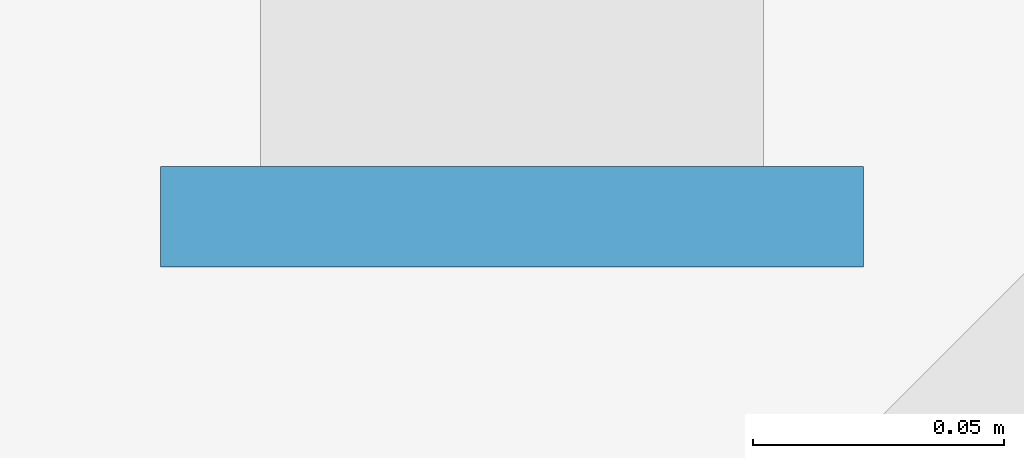
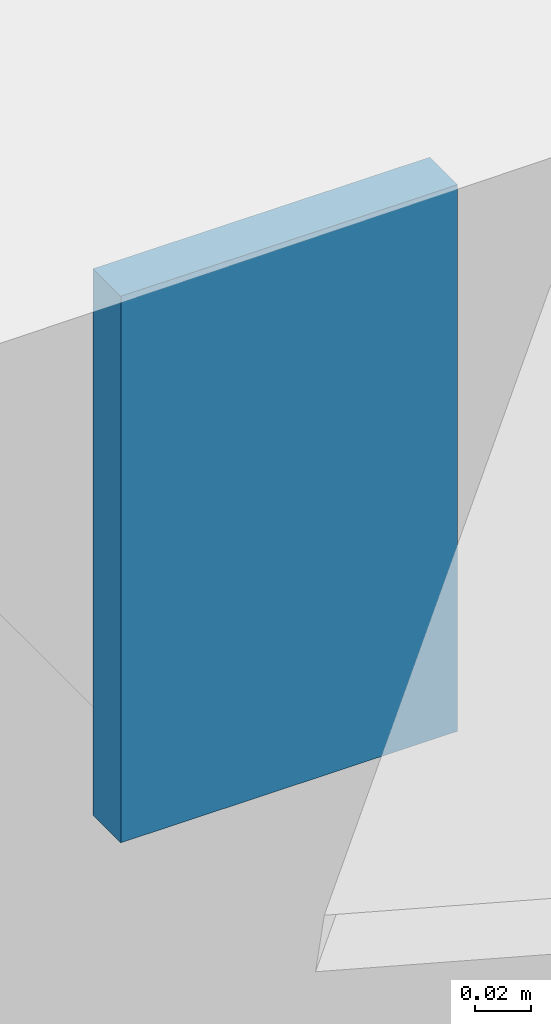
# One storey, part 19 of 28: 1 plate.
"""IFC4 building model written with IfcOpenShell, lengths in metres."""

import ifcopenshell
import ifcopenshell.guid

model = None  # the IFC model being written
_history = None  # IfcOwnerHistory: only IFC2X3 demands one
_inside = {}  # id of a spatial element -> (the spatial element, [elements in it])
_under = {}  # id of a project, library or spatial element -> (it, [spatial elements below it])
_declared = {}  # id of a project -> (the project, [libraries it declares])
_typed = {}  # id of a type object -> (the type object, [elements of that type])
_made_of = {}  # id of a material, layer set ... -> (it, [elements and type objects made of it])


def new_model(schema):
    """Start an empty IFC model of exactly this schema.

    Asked for "IFC4X3", IfcOpenShell would pick the latest addendum, in which some entities
    have other attributes; the version numbers below select the first issue.
    IFC2X3 requires an IfcOwnerHistory on every rooted entity: one is made here for all.
    """
    global model, _history
    if schema == "IFC4X3":
        model = ifcopenshell.file(schema_version=(4, 3, 0, 0))
    else:
        model = ifcopenshell.file(schema=schema)
    _inside.clear()
    _under.clear()
    _declared.clear()
    _typed.clear()
    _made_of.clear()
    _history = None
    if model.schema == "IFC2X3":
        org = make("IfcOrganization", Name="unknown")
        user = make(
            "IfcPersonAndOrganization",
            ThePerson=make("IfcPerson", FamilyName="unknown"),
            TheOrganization=org,
        )
        app = make(
            "IfcApplication",
            ApplicationDeveloper=org,
            Version="unknown",
            ApplicationFullName="unknown",
            ApplicationIdentifier="unknown",
        )
        _history = make(
            "IfcOwnerHistory",
            OwningUser=user,
            OwningApplication=app,
            ChangeAction="ADDED",
            CreationDate=0,
        )
    return model


def make(cls, **values):
    """One entity of the class cls with the attributes given. An attribute that is None is left unset."""
    return model.create_entity(
        cls, **{name: value for name, value in values.items() if value is not None}
    )


def rooted(cls, **values):
    """An entity with a GlobalId (a new one), such as an element, a storey or a relation."""
    return make(cls, GlobalId=ifcopenshell.guid.new(), OwnerHistory=_history, **values)


def si_unit(unit_type, name, prefix=None):
    """IfcSIUnit, for example si_unit("LENGTHUNIT", "METRE", prefix="MILLI")."""
    return make("IfcSIUnit", UnitType=unit_type, Prefix=prefix, Name=name)


def assignment(units):
    """IfcUnitAssignment: the units of a project."""
    return None if units is None else make("IfcUnitAssignment", Units=units)


def point(xyz):
    """IfcCartesianPoint."""
    return None if xyz is None else make("IfcCartesianPoint", Coordinates=xyz)


def direction(xyz):
    """IfcDirection."""
    return None if xyz is None else make("IfcDirection", DirectionRatios=xyz)


def frame(location, z_axis=None, x_axis=None):
    """IfcAxis2Placement3D, a coordinate frame: its origin and axes. An axis left out is left unset."""
    return make(
        "IfcAxis2Placement3D",
        Location=point(location),
        Axis=direction(z_axis),
        RefDirection=direction(x_axis),
    )


def frame_2d(location, x_axis=None):
    """IfcAxis2Placement2D, a coordinate frame in the plane: its origin and x axis."""
    return make(
        "IfcAxis2Placement2D", Location=point(location), RefDirection=direction(x_axis)
    )


def origin():
    """The frame at (0, 0, 0) with its axes left unset."""
    return frame((0.0, 0.0, 0.0))


def origin_2d():
    """The frame at (0, 0) in the plane with its x axis left unset."""
    return frame_2d((0.0, 0.0))


def place(relative_to, where):
    """IfcLocalPlacement: puts the frame where relative to a parent placement (None: the world)."""
    return make(
        "IfcLocalPlacement", PlacementRelTo=relative_to, RelativePlacement=where
    )


def context(
    kind, dimensions, precision=None, world=None, true_north=None, identifier=None
):
    """IfcGeometricRepresentationContext, for example the 3D "Model" context."""
    return make(
        "IfcGeometricRepresentationContext",
        ContextIdentifier=identifier,
        ContextType=kind,
        CoordinateSpaceDimension=dimensions,
        Precision=precision,
        WorldCoordinateSystem=world,
        TrueNorth=true_north,
    )


def subcontext(parent, identifier, kind, view, scale=None):
    """IfcGeometricRepresentationSubContext, for example "Body" below "Model"."""
    return make(
        "IfcGeometricRepresentationSubContext",
        ContextIdentifier=identifier,
        ContextType=kind,
        ParentContext=parent,
        TargetScale=scale,
        TargetView=view,
    )


def project(units=None, contexts=None):
    """IfcProject with its units and contexts."""
    return rooted(
        "IfcProject",
        Name="project",
        RepresentationContexts=contexts,
        UnitsInContext=assignment(units),
    )


def spatial(cls, under=None, at=None, **own):
    """A site, building, storey or space (cls), placed at a placement, below another one or the project."""
    s = rooted(cls, ObjectPlacement=at, **own)
    if under is not None:
        _under.setdefault(under.id(), (under, []))[1].append(s)
    return s


def profile(cls, at=None, kind="AREA", **sizes):
    """A parametric profile (cls). Its sizes go by their IFC names, for example OverallWidth=200.0."""
    return make(cls, ProfileType=kind, Position=at, **sizes)


def rectangle(**sizes):
    """IfcRectangleProfileDef."""
    return profile("IfcRectangleProfileDef", **sizes)


def extrude(swept, where, along, depth):
    """IfcExtrudedAreaSolid: the profile swept, set in the frame where, extruded along a direction by depth."""
    return make(
        "IfcExtrudedAreaSolid",
        SweptArea=swept,
        Position=where,
        ExtrudedDirection=direction(along),
        Depth=depth,
    )


def shape(context_of_items, identifier, shape_type, items):
    """IfcShapeRepresentation: the items that make up one representation, for example the "Body"."""
    return make(
        "IfcShapeRepresentation",
        ContextOfItems=context_of_items,
        RepresentationIdentifier=identifier,
        RepresentationType=shape_type,
        Items=items,
    )


def source(mapping_origin, context_of_items, identifier, shape_type, items):
    """IfcRepresentationMap: a shape defined once, which mapped items show again and again."""
    return make(
        "IfcRepresentationMap",
        MappingOrigin=mapping_origin,
        MappedRepresentation=shape(context_of_items, identifier, shape_type, items),
    )


def transform(
    local_origin,
    x_axis=None,
    y_axis=None,
    z_axis=None,
    scale=None,
    scale2=None,
    scale3=None,
    uniform=True,
):
    """IfcCartesianTransformationOperator3D, or its non-uniform kind. x_axis, y_axis, z_axis: its Axis1, 2, 3."""
    if uniform:
        return make(
            "IfcCartesianTransformationOperator3D",
            Axis1=direction(x_axis),
            Axis2=direction(y_axis),
            LocalOrigin=point(local_origin),
            Scale=scale,
            Axis3=direction(z_axis),
        )
    return make(
        "IfcCartesianTransformationOperator3DnonUniform",
        Axis1=direction(x_axis),
        Axis2=direction(y_axis),
        LocalOrigin=point(local_origin),
        Scale=scale,
        Axis3=direction(z_axis),
        Scale2=scale2,
        Scale3=scale3,
    )


def mapped(mapping_source, mapping_target):
    """IfcMappedItem: shows the shape of a source again, moved by a transform."""
    return make(
        "IfcMappedItem", MappingSource=mapping_source, MappingTarget=mapping_target
    )


def material(Name=None, Category=None):
    """IfcMaterial."""
    return make("IfcMaterial", Name=Name, Category=Category)


def layer(
    of_material, thickness, ventilated=None, Name=None, Category=None, Priority=None
):
    """IfcMaterialLayer: one layer of a wall or slab, of a material (None: an air gap)."""
    return make(
        "IfcMaterialLayer",
        Material=of_material,
        LayerThickness=thickness,
        IsVentilated=ventilated,
        Name=Name,
        Category=Category,
        Priority=Priority,
    )


def layer_set(layers, Name=None):
    """IfcMaterialLayerSet."""
    return make("IfcMaterialLayerSet", MaterialLayers=layers, LayerSetName=Name)


def made_of(thing, what):
    """Note that an element or type object is made of a material, layer set ...; save() writes the relation."""
    if what is not None:
        _made_of.setdefault(what.id(), (what, []))[1].append(thing)
    return thing


def type_object(cls, material=None, **own):
    """A type object (cls), such as IfcWallType, which elements share."""
    return made_of(rooted(cls, **own), material)


def element(
    cls,
    number,
    at=None,
    inside=None,
    cuts=None,
    type_object=None,
    material=None,
    context=None,
    identifier="Body",
    shape_type=None,
    held_by="IfcProductDefinitionShape",
    body=None,
    shapes=None,
    **own,
):
    """One element of the class cls, such as IfcWall. Its Tag is "e" and its number.

    at: its placement. inside: the storey or other place that contains it. cuts: it is an
    opening in that element (IfcRelVoidsElement). A single representation is given by context,
    identifier, shape_type and body (its items); several are given by shapes. held_by: the class
    of the entity that holds the representations. save() writes the other relations.
    """
    e = rooted(cls, Tag="e%d" % number, ObjectPlacement=at, **own)
    if body is not None:
        shapes = [shape(context, identifier, shape_type, body)]
    if shapes is not None:
        e.Representation = make(held_by, Representations=shapes)
    if inside is not None:
        _inside.setdefault(inside.id(), (inside, []))[1].append(e)
    if cuts is not None:
        rooted(
            "IfcRelVoidsElement", RelatingBuildingElement=cuts, RelatedOpeningElement=e
        )
    if type_object is not None:
        _typed.setdefault(type_object.id(), (type_object, []))[1].append(e)
    return made_of(e, material)


def aggregate(whole, parts):
    """IfcRelAggregates: a whole, such as a stair, and the parts it consists of."""
    return rooted("IfcRelAggregates", RelatingObject=whole, RelatedObjects=parts)


def save(model, path):
    """Write the relations noted so far, then the file.

    IfcRelAggregates (storeys below a building ...), IfcRelContainedInSpatialStructure (elements
    in a storey), IfcRelDefinesByType, IfcRelAssociatesMaterial and IfcRelDeclares: one each for
    every whole, place, type object, material and project.
    """
    for whole, parts in _under.values():
        aggregate(whole, parts)
    for where, things in _inside.values():
        rooted(
            "IfcRelContainedInSpatialStructure",
            RelatedElements=things,
            RelatingStructure=where,
        )
    for kind, things in _typed.values():
        rooted("IfcRelDefinesByType", RelatedObjects=things, RelatingType=kind)
    for what, things in _made_of.values():
        rooted("IfcRelAssociatesMaterial", RelatedObjects=things, RelatingMaterial=what)
    for by, libraries in _declared.values():
        rooted("IfcRelDeclares", RelatingContext=by, RelatedDefinitions=libraries)
    model.write(path)


model = new_model("IFC4")

# Units and contexts
model_context = context("Model", 3, precision=1e-05, world=origin(), true_north=direction((0.0, 1.0)))
body_context = subcontext(model_context, "Body", "Model", "MODEL_VIEW")
ifc_project = project(units=[si_unit("LENGTHUNIT", "METRE"), si_unit("AREAUNIT", "SQUARE_METRE"), si_unit("VOLUMEUNIT", "CUBIC_METRE"), si_unit("PLANEANGLEUNIT", "RADIAN"), si_unit("MASSUNIT", "GRAM", prefix="KILO"), si_unit("THERMODYNAMICTEMPERATUREUNIT", "KELVIN"), si_unit("POWERUNIT", "WATT")], contexts=[model_context])

# Site, building, storey
site_placement = place(None, origin())
site = spatial("IfcSite", under=ifc_project, at=site_placement, CompositionType="ELEMENT")
building_placement = place(site_placement, origin())
building = spatial("IfcBuilding", under=site, at=building_placement, Name="Qiaomeng Ring Towers", CompositionType="ELEMENT")
storey_placement = place(building_placement, frame((0.0, 0.0, 113.25)))
storey = spatial("IfcBuildingStorey", under=building, at=storey_placement, Name="L32", CompositionType="ELEMENT", Elevation=113.25)

# Plate
ifc_material = material(Name="Steel Q355B", Category="steel")
ifc_layer = layer(ifc_material, 0.02001953125, Name="Steel Q355B")
ifc_layer_set = layer_set([ifc_layer], Name="Steel Q355B")
plate_type = type_object("IfcPlateType", Name="STR-PL-CAP", PredefinedType="USERDEFINED", material=ifc_layer_set)
shared_shape = source(origin(), body_context, "Body", "SweptSolid", [
    extrude(rectangle(XDim=0.139892578125, YDim=0.02001953125, at=origin_2d()), origin(), (0.0, 0.0, 1.0), 0.239990234375),
])
plate_placement = place(storey_placement, frame((69.0, 11.840087890625, 6.42041015625), z_axis=(0.0, 0.0, 1.0), x_axis=(1.0, 0.0, 0.0)))
element("IfcPlate", 1, at=plate_placement, inside=storey, type_object=plate_type, Name="Companion Crown Roof Purlin 4 End Cap Plate S", ObjectType="END CAP PLATE", PredefinedType="USERDEFINED", context=body_context, shape_type="MappedRepresentation", body=[
    mapped(shared_shape, transform((0.0, 0.0, 0.0), x_axis=(1.0, 0.0, 0.0), y_axis=(0.0, 1.0, 0.0), z_axis=(0.0, 0.0, 1.0), scale=1.0)),
])

save(model, "model.ifc")
